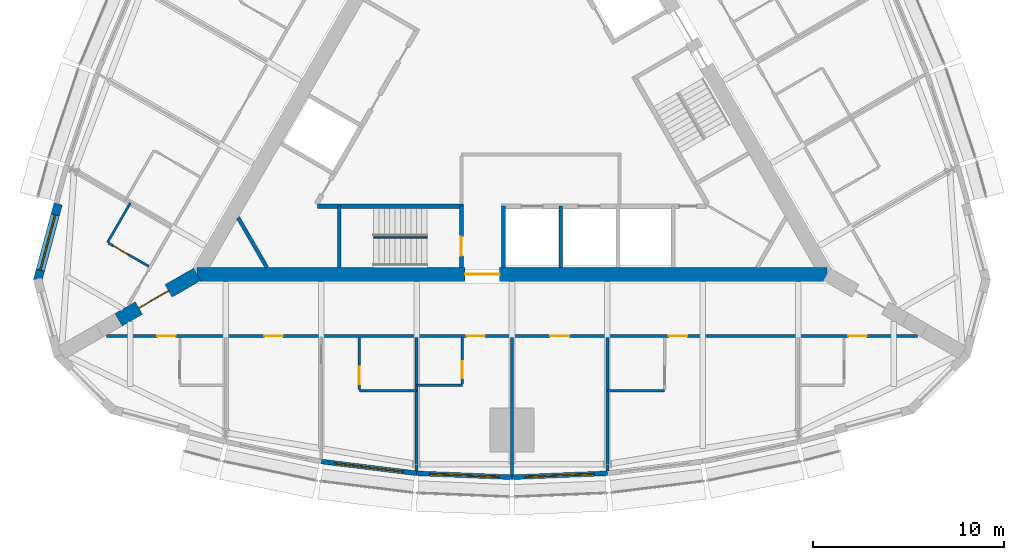
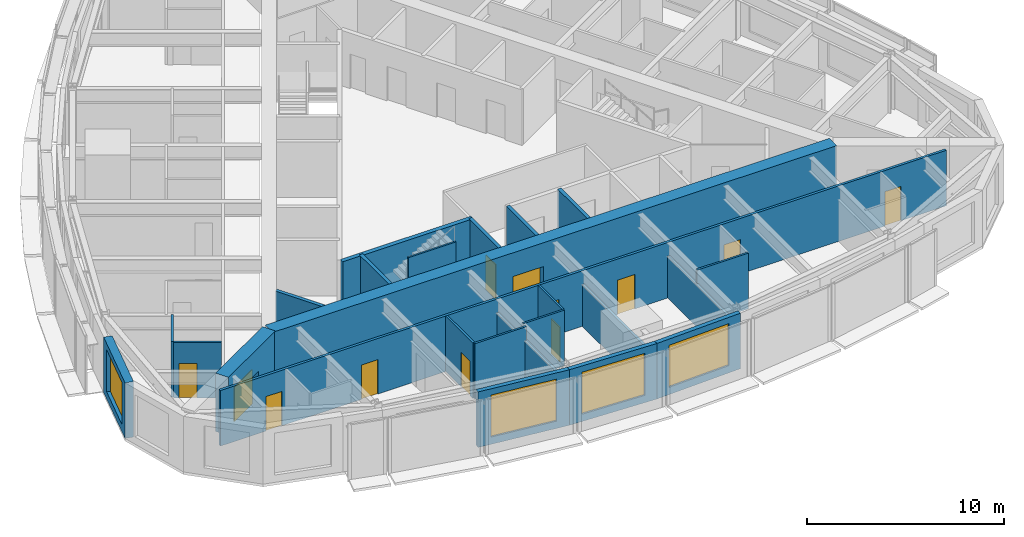
# One storey, part 9 of 15: 24 walls, 12 doors, 4 windows, 16 openings.
"""IFC4 building model written with IfcOpenShell, lengths in metres."""

from ifc_helpers import new_model, si_unit, direction, frame, frame_2d, origin, place, context, subcontext, project, spatial, rectangle, extrude, material, layer, layer_set, type_object, element, fill, save


model = new_model("IFC4")

# Units and contexts
model_context = context("Model", 3, precision=1e-05, world=origin(), true_north=direction((0.0, 1.0)))
body_context = subcontext(model_context, "Body", "Model", "MODEL_VIEW")
ifc_project = project(units=[si_unit("LENGTHUNIT", "METRE"), si_unit("AREAUNIT", "SQUARE_METRE"), si_unit("VOLUMEUNIT", "CUBIC_METRE"), si_unit("PLANEANGLEUNIT", "RADIAN"), si_unit("MASSUNIT", "GRAM", prefix="KILO")], contexts=[model_context])

# Site, building, storey
site_placement = place(None, origin())
site = spatial("IfcSite", under=ifc_project, at=site_placement, CompositionType="ELEMENT")
building_placement = place(site_placement, origin())
building = spatial("IfcBuilding", under=site, at=building_placement, Name="Trikona Tower", CompositionType="ELEMENT")
storey_placement = place(building_placement, frame((0.0, 0.0, 204.5)))
storey = spatial("IfcBuildingStorey", under=building, at=storey_placement, Name="L54", CompositionType="ELEMENT", Elevation=204.5)

# Wall
ifc_material_1 = material(Name="Metal stud and cement board", Category="gypsum")
ifc_layer_1 = layer(ifc_material_1, 0.1201171875)
ifc_layer_set_1 = layer_set([ifc_layer_1], Name="Bathroom wall 120")
wall_type_1 = type_object("IfcWallType", Name="Bathroom wall 120", PredefinedType="PLUMBINGWALL", material=ifc_layer_set_1)
wall_1_placement = place(storey_placement, frame((-8.0, -15.626220703125, 0.0), z_axis=(0.0, 0.0, 1.0), x_axis=(1.0, 0.0, 0.0)))
element("IfcWall", 1, at=wall_1_placement, inside=storey, type_object=wall_type_1, Name="Bathroom wall 5402.1", PredefinedType="PLUMBINGWALL", context=body_context, shape_type="SweptSolid", body=[
    extrude(rectangle(XDim=3.0, YDim=0.1201171875, at=frame_2d((1.5, 0.0))), origin(), (0.0, 0.0, 1.0), 3.43505859375),
])

# Wall, opening, door
wall_2_placement = place(storey_placement, frame((-8.0, -12.826416015625, 0.0), z_axis=(0.0, 0.0, 1.0), x_axis=(0.0, -1.0, 0.0)))
wall_2 = element("IfcWall", 2, at=wall_2_placement, inside=storey, type_object=wall_type_1, Name="Bathroom wall 5402.1", PredefinedType="PLUMBINGWALL", context=body_context, shape_type="SweptSolid", body=[
    extrude(rectangle(XDim=2.739990234375, YDim=0.1201171875, at=frame_2d((1.3701171875, 0.0))), origin(), (0.0, 0.0, 1.0), 3.43505859375),
])
opening_1_placement = place(wall_2_placement, frame((1.550048828125, 0.0, 0.0)))
opening_1 = element("IfcOpeningElement", 3, at=opening_1_placement, cuts=wall_2, Name="Opening D2", PredefinedType="OPENING", context=body_context, shape_type="SweptSolid", body=[
    extrude(rectangle(XDim=0.89990234375, YDim=2.1298828125, at=frame_2d((0.449951171875, 1.06494140625))), frame((0.0, 0.070068359375, 0.0), z_axis=(0.0, -1.0, 0.0), x_axis=(1.0, 0.0, 0.0)), (0.0, 0.0, 1.0), 0.14013671875),
])
ifc_material_2 = material(Name="Steel door frame with solid-core timber leaf", Category="steel")
door_type_1 = type_object("IfcDoorType", Name="Bathroom door 900x2130", OperationType="SLIDING_TO_LEFT", PredefinedType="DOOR", material=ifc_material_2)
door_1_placement = place(opening_1_placement, origin())
door_1 = element("IfcDoor", 4, at=door_1_placement, inside=storey, type_object=door_type_1, Name="Bathroom door 5402.1", OperationType="SLIDING_TO_LEFT", OverallHeight=2.1298828125, OverallWidth=0.89990234375, PredefinedType="DOOR", context=body_context, shape_type="SweptSolid", body=[
    extrude(rectangle(XDim=0.89990234375, YDim=2.1298828125, at=frame_2d((0.449951171875, 1.06494140625))), frame((0.0, 0.02490234375, 0.0), z_axis=(0.0, -1.0, 0.0), x_axis=(1.0, 0.0, 0.0)), (0.0, 0.0, 1.0), 0.050048828125),
])
fill(opening_1, door_1)

# Wall
wall_3_placement = place(storey_placement, frame((-5.0, -15.326416015625, 0.0), z_axis=(0.0, 0.0, 1.0), x_axis=(1.0, 0.0, 0.0)))
element("IfcWall", 5, at=wall_3_placement, inside=storey, type_object=wall_type_1, Name="Bathroom wall 5403", PredefinedType="PLUMBINGWALL", context=body_context, shape_type="SweptSolid", body=[
    extrude(rectangle(XDim=2.39990234375, YDim=0.1201171875, at=frame_2d((1.199951171875, 0.0))), origin(), (0.0, 0.0, 1.0), 3.43505859375),
])

# Wall, opening, door
wall_4_placement = place(storey_placement, frame((-2.60009765625, -12.826416015625, 0.0), z_axis=(0.0, 0.0, 1.0), x_axis=(0.0, -1.0, 0.0)))
wall_4 = element("IfcWall", 6, at=wall_4_placement, inside=storey, type_object=wall_type_1, Name="Bathroom wall 5403", PredefinedType="PLUMBINGWALL", context=body_context, shape_type="SweptSolid", body=[
    extrude(rectangle(XDim=2.43994140625, YDim=0.1201171875, at=frame_2d((1.219970703125, 0.0))), origin(), (0.0, 0.0, 1.0), 3.43505859375),
])
opening_2_placement = place(wall_4_placement, frame((1.25, 0.0, 0.0)))
opening_2 = element("IfcOpeningElement", 7, at=opening_2_placement, cuts=wall_4, Name="Opening D2", PredefinedType="OPENING", context=body_context, shape_type="SweptSolid", body=[
    extrude(rectangle(XDim=0.89990234375, YDim=2.1298828125, at=frame_2d((0.449951171875, 1.06494140625))), frame((0.0, 0.070068359375, 0.0), z_axis=(0.0, -1.0, 0.0), x_axis=(1.0, 0.0, 0.0)), (0.0, 0.0, 1.0), 0.14013671875),
])
door_2_placement = place(opening_2_placement, origin())
door_2 = element("IfcDoor", 8, at=door_2_placement, inside=storey, type_object=door_type_1, Name="Bathroom door 5403", OperationType="SLIDING_TO_LEFT", OverallHeight=2.1298828125, OverallWidth=0.89990234375, PredefinedType="DOOR", context=body_context, shape_type="SweptSolid", body=[
    extrude(rectangle(XDim=0.89990234375, YDim=2.1298828125, at=frame_2d((0.449951171875, 1.06494140625))), frame((0.0, 0.02490234375, 0.0), z_axis=(0.0, -1.0, 0.0), x_axis=(1.0, 0.0, 0.0)), (0.0, 0.0, 1.0), 0.050048828125),
])
fill(opening_2, door_2)

# Walls
wall_5_placement = place(storey_placement, frame((5.0, -15.626220703125, 0.0), z_axis=(0.0, 0.0, 1.0), x_axis=(1.0, 0.0, 0.0)))
element("IfcWall", 9, at=wall_5_placement, inside=storey, type_object=wall_type_1, Name="Bathroom wall 5404", PredefinedType="PLUMBINGWALL", context=body_context, shape_type="SweptSolid", body=[
    extrude(rectangle(XDim=3.0, YDim=0.1201171875, at=frame_2d((1.5, 0.0))), origin(), (0.0, 0.0, 1.0), 3.43505859375),
])
wall_6_placement = place(storey_placement, frame((-19.993408203125, -5.777099609375, 0.0), z_axis=(0.0, 0.0, 1.0), x_axis=(-0.500033551112, -0.866006032174, 0.0)))
element("IfcWall", 10, at=wall_6_placement, inside=storey, type_object=wall_type_1, Name="Bathroom wall 5416", PredefinedType="PLUMBINGWALL", context=body_context, shape_type="SweptSolid", body=[
    extrude(rectangle(XDim=2.400146484375, YDim=0.1201171875, at=frame_2d((1.2001953125, 0.0))), origin(), (0.0, 0.0, 1.0), 3.43505859375),
])

# Wall, opening, door
wall_7_placement = place(storey_placement, frame((-19.028564453125, -9.105712890625, 0.0), z_axis=(0.0, 0.0, 1.0), x_axis=(-0.866023955769, 0.500002508028, 0.0)))
wall_7 = element("IfcWall", 11, at=wall_7_placement, inside=storey, type_object=wall_type_1, Name="Bathroom wall 5416", PredefinedType="PLUMBINGWALL", context=body_context, shape_type="SweptSolid", body=[
    extrude(rectangle(XDim=2.43994140625, YDim=0.1201171875, at=frame_2d((1.219970703125, 0.0))), origin(), (0.0, 0.0, 1.0), 3.43505859375),
])
opening_3_placement = place(wall_7_placement, frame((1.25, 0.0, 0.0)))
opening_3 = element("IfcOpeningElement", 12, at=opening_3_placement, cuts=wall_7, Name="Opening D2", PredefinedType="OPENING", context=body_context, shape_type="SweptSolid", body=[
    extrude(rectangle(XDim=0.89990234375, YDim=2.1298828125, at=frame_2d((0.449951171875, 1.06494140625))), frame((0.0, 0.070068359375, 0.0), z_axis=(0.0, -1.0, 0.0), x_axis=(1.0, 0.0, 0.0)), (0.0, 0.0, 1.0), 0.14013671875),
])
door_3_placement = place(opening_3_placement, origin())
door_3 = element("IfcDoor", 13, at=door_3_placement, inside=storey, type_object=door_type_1, Name="Bathroom door 5416", OperationType="SLIDING_TO_LEFT", OverallHeight=2.1298828125, OverallWidth=0.89990234375, PredefinedType="DOOR", context=body_context, shape_type="SweptSolid", body=[
    extrude(rectangle(XDim=0.89990234375, YDim=2.1298828125, at=frame_2d((0.449951171875, 1.06494140625))), frame((0.0, 0.02490234375, 0.0), z_axis=(0.0, -1.0, 0.0), x_axis=(1.0, 0.0, 0.0)), (0.0, 0.0, 1.0), 0.050048828125),
])
fill(opening_3, door_3)

# Wall, opening, window
ifc_material_3 = material(Name="Brick-faced precast concrete", Category="masonry")
ifc_layer_2 = layer(ifc_material_3, 0.449951171875)
ifc_layer_set_2 = layer_set([ifc_layer_2], Name="Brick-faced corner wall 450")
wall_type_2 = type_object("IfcWallType", Name="Brick-faced corner wall 450", PredefinedType="SOLIDWALL", material=ifc_layer_set_2)
wall_8_placement = place(storey_placement, frame((-23.78271484375, -5.831787109375, 0.0), z_axis=(0.0, 0.0, 1.0), x_axis=(-0.258784695888, -0.965935029479, 0.0)))
wall_8 = element("IfcWall", 14, at=wall_8_placement, inside=storey, type_object=wall_type_2, Name="External wall L54-32", PredefinedType="SOLIDWALL", context=body_context, shape_type="SweptSolid", body=[
    extrude(rectangle(XDim=4.18408203125, YDim=0.449951171875, at=frame_2d((2.092041015625, 0.0))), origin(), (0.0, 0.0, 1.0), 3.43505859375),
])
opening_4_placement = place(wall_8_placement, frame((0.592041015625, 0.0, 0.449951171875)))
opening_4 = element("IfcOpeningElement", 15, at=opening_4_placement, cuts=wall_8, Name="Opening W3026", PredefinedType="OPENING", context=body_context, shape_type="SweptSolid", body=[
    extrude(rectangle(XDim=3.0, YDim=2.60009765625, at=frame_2d((1.5, 1.300048828125))), frame((0.0, 0.23486328125, 0.0), z_axis=(0.0, -1.0, 0.0), x_axis=(1.0, 0.0, 0.0)), (0.0, 0.0, 1.0), 0.469970703125),
])
ifc_material_4 = material(Name="Aluminium-framed double glazing", Category="aluminium")
window_type_1 = type_object("IfcWindowType", Name="Window 3000x2600", PartitioningType="SINGLE_PANEL", PredefinedType="WINDOW", material=ifc_material_4)
window_1_placement = place(opening_4_placement, origin())
window_1 = element("IfcWindow", 16, at=window_1_placement, inside=storey, type_object=window_type_1, Name="Window 5416", OverallHeight=2.60009765625, OverallWidth=3.0, PartitioningType="SINGLE_PANEL", PredefinedType="WINDOW", context=body_context, shape_type="SweptSolid", body=[
    extrude(rectangle(XDim=3.0, YDim=2.60009765625, at=frame_2d((1.5, 1.300048828125))), frame((0.0, 0.030029296875, 0.0), z_axis=(0.0, -1.0, 0.0), x_axis=(1.0, 0.0, 0.0)), (0.0, 0.0, 1.0), 0.06005859375),
])
fill(opening_4, window_1)

# Wall, opening, door
ifc_material_5 = material(Name="Concrete f'c 10000 psi", Category="concrete")
ifc_layer_3 = layer(ifc_material_5, 0.75)
ifc_layer_set_3 = layer_set([ifc_layer_3], Name="Buttress wall 750")
wall_type_3 = type_object("IfcWallType", Name="Buttress wall 750", PredefinedType="SHEAR", material=ifc_layer_set_3)
wall_9_placement = place(storey_placement, frame((-16.5, -9.5263671875, 0.0), z_axis=(0.0, 0.0, 1.0), x_axis=(-0.866031398331, -0.499989616998, 0.0)))
wall_9 = element("IfcWall", 17, at=wall_9_placement, inside=storey, type_object=wall_type_3, Name="Buttress wall 3", PredefinedType="SHEAR", context=body_context, shape_type="SweptSolid", body=[
    extrude(rectangle(XDim=4.74609375, YDim=0.75, at=frame_2d((2.373046875, 0.0))), origin(), (0.0, 0.0, 1.0), 3.60009765625),
])
opening_5_placement = place(wall_9_placement, frame((1.72509765625, 0.0, 0.0)))
opening_5 = element("IfcOpeningElement", 18, at=opening_5_placement, cuts=wall_9, Name="Opening D10", PredefinedType="OPENING", context=body_context, shape_type="SweptSolid", body=[
    extrude(rectangle(XDim=1.800048828125, YDim=2.1298828125, at=frame_2d((0.89990234375, 1.06494140625))), frame((0.0, 0.385009765625, 0.0), z_axis=(0.0, -1.0, 0.0), x_axis=(1.0, 0.0, 0.0)), (0.0, 0.0, 1.0), 0.77001953125),
])
ifc_material_6 = material(Name="Hollow metal door and frame", Category="steel")
door_type_2 = type_object("IfcDoorType", Name="Cross-corridor door pair 1800x2130", OperationType="DOUBLE_DOOR_DOUBLE_SWING", PredefinedType="DOOR", material=ifc_material_6)
door_4_placement = place(opening_5_placement, origin())
door_4 = element("IfcDoor", 19, at=door_4_placement, inside=storey, type_object=door_type_2, Name="Cross-corridor door 3", OperationType="DOUBLE_DOOR_DOUBLE_SWING", OverallHeight=2.1298828125, OverallWidth=1.800048828125, PredefinedType="DOOR", context=body_context, shape_type="SweptSolid", body=[
    extrude(rectangle(XDim=1.800048828125, YDim=2.1298828125, at=frame_2d((0.89990234375, 1.06494140625))), frame((0.0, 0.02490234375, 0.0), z_axis=(0.0, -1.0, 0.0), x_axis=(1.0, 0.0, 0.0)), (0.0, 0.0, 1.0), 0.050048828125),
])
fill(opening_5, door_4)

ifc_material_7 = material(Name="Concrete f'c 10000 psi", Category="concrete")
ifc_layer_4 = layer(ifc_material_7, 0.75)
ifc_layer_set_4 = layer_set([ifc_layer_4], Name="Core wall 750")
wall_type_4 = type_object("IfcWallType", Name="Core wall 750", PredefinedType="SHEAR", material=ifc_layer_set_4)
wall_10_placement = place(storey_placement, frame((-16.5, -9.5263671875, 0.0), z_axis=(0.0, 0.0, 1.0), x_axis=(1.0, 0.0, 0.0)))
wall_10 = element("IfcWall", 20, at=wall_10_placement, inside=storey, type_object=wall_type_4, Name="Core wall A", PredefinedType="SHEAR", context=body_context, shape_type="SweptSolid", body=[
    extrude(rectangle(XDim=33.0, YDim=0.75, at=frame_2d((16.5, 0.0))), origin(), (0.0, 0.0, 1.0), 3.60009765625),
])
opening_6_placement = place(wall_10_placement, frame((14.050048828125, 0.0, 0.0)))
opening_6 = element("IfcOpeningElement", 21, at=opening_6_placement, cuts=wall_10, Name="Opening D6", PredefinedType="OPENING", context=body_context, shape_type="SweptSolid", body=[
    extrude(rectangle(XDim=1.800048828125, YDim=2.1298828125, at=frame_2d((0.89990234375, 1.06494140625))), frame((0.0, 0.385009765625, 0.0), z_axis=(0.0, -1.0, 0.0), x_axis=(1.0, 0.0, 0.0)), (0.0, 0.0, 1.0), 0.77001953125),
])
ifc_material_8 = material(Name="Hollow metal door and frame", Category="steel")
door_type_3 = type_object("IfcDoorType", Name="Lobby door pair 1800x2130", OperationType="DOUBLE_DOOR_SINGLE_SWING", PredefinedType="DOOR", material=ifc_material_8)
door_5_placement = place(opening_6_placement, origin())
door_5 = element("IfcDoor", 22, at=door_5_placement, inside=storey, type_object=door_type_3, Name="Fire service lift lobby door", OperationType="DOUBLE_DOOR_SINGLE_SWING", OverallHeight=2.1298828125, OverallWidth=1.800048828125, PredefinedType="DOOR", context=body_context, shape_type="SweptSolid", body=[
    extrude(rectangle(XDim=1.800048828125, YDim=2.1298828125, at=frame_2d((0.89990234375, 1.06494140625))), frame((0.0, 0.02490234375, 0.0), z_axis=(0.0, -1.0, 0.0), x_axis=(1.0, 0.0, 0.0)), (0.0, 0.0, 1.0), 0.050048828125),
])
fill(opening_6, door_5)

# Wall, openings, doors
ifc_material_9 = material(Name="Metal stud and gypsum board, 1-hour", Category="gypsum")
ifc_layer_5 = layer(ifc_material_9, 0.14990234375)
ifc_layer_set_5 = layer_set([ifc_layer_5], Name="Corridor wall 150")
wall_type_5 = type_object("IfcWallType", Name="Corridor wall 150", PredefinedType="PARTITIONING", material=ifc_layer_set_5)
wall_11_placement = place(storey_placement, frame((-21.23583984375, -12.751220703125, 0.0), z_axis=(0.0, 0.0, 1.0), x_axis=(1.0, 0.0, 0.0)))
wall_11 = element("IfcWall", 23, at=wall_11_placement, inside=storey, type_object=wall_type_5, Name="Corridor wall L54-1", PredefinedType="PARTITIONING", context=body_context, shape_type="SweptSolid", body=[
    extrude(rectangle(XDim=42.4716796875, YDim=0.14990234375, at=frame_2d((21.23583984375, 0.0))), origin(), (0.0, 0.0, 1.0), 3.43505859375),
])
opening_7_placement = place(wall_11_placement, frame((2.660888671875, 0.0, 0.0)))
opening_7 = element("IfcOpeningElement", 24, at=opening_7_placement, cuts=wall_11, Name="Opening D1", PredefinedType="OPENING", context=body_context, shape_type="SweptSolid", body=[
    extrude(rectangle(XDim=0.949951171875, YDim=2.1298828125, at=frame_2d((0.47509765625, 1.06494140625))), frame((0.0, 0.0849609375, 0.0), z_axis=(0.0, -1.0, 0.0), x_axis=(1.0, 0.0, 0.0)), (0.0, 0.0, 1.0), 0.169921875),
])
opening_8_placement = place(wall_11_placement, frame((8.260986328125, 0.0, 0.0)))
opening_8 = element("IfcOpeningElement", 25, at=opening_8_placement, cuts=wall_11, Name="Opening D1", PredefinedType="OPENING", context=body_context, shape_type="SweptSolid", body=[
    extrude(rectangle(XDim=0.949951171875, YDim=2.1298828125, at=frame_2d((0.47509765625, 1.06494140625))), frame((0.0, 0.0849609375, 0.0), z_axis=(0.0, -1.0, 0.0), x_axis=(1.0, 0.0, 0.0)), (0.0, 0.0, 1.0), 0.169921875),
])
opening_9_placement = place(wall_11_placement, frame((18.86083984375, 0.0, 0.0)))
opening_9 = element("IfcOpeningElement", 26, at=opening_9_placement, cuts=wall_11, Name="Opening D1", PredefinedType="OPENING", context=body_context, shape_type="SweptSolid", body=[
    extrude(rectangle(XDim=0.949951171875, YDim=2.1298828125, at=frame_2d((0.47509765625, 1.06494140625))), frame((0.0, 0.0849609375, 0.0), z_axis=(0.0, -1.0, 0.0), x_axis=(1.0, 0.0, 0.0)), (0.0, 0.0, 1.0), 0.169921875),
])
opening_10_placement = place(wall_11_placement, frame((23.23583984375, 0.0, 0.0)))
opening_10 = element("IfcOpeningElement", 27, at=opening_10_placement, cuts=wall_11, Name="Opening D3", PredefinedType="OPENING", context=body_context, shape_type="SweptSolid", body=[
    extrude(rectangle(XDim=1.0, YDim=2.1298828125, at=frame_2d((0.5, 1.06494140625))), frame((0.0, 0.0849609375, 0.0), z_axis=(0.0, -1.0, 0.0), x_axis=(1.0, 0.0, 0.0)), (0.0, 0.0, 1.0), 0.169921875),
])
opening_11_placement = place(wall_11_placement, frame((29.4609375, 0.0, 0.0)))
opening_11 = element("IfcOpeningElement", 28, at=opening_11_placement, cuts=wall_11, Name="Opening D1", PredefinedType="OPENING", context=body_context, shape_type="SweptSolid", body=[
    extrude(rectangle(XDim=0.949951171875, YDim=2.1298828125, at=frame_2d((0.47509765625, 1.06494140625))), frame((0.0, 0.0849609375, 0.0), z_axis=(0.0, -1.0, 0.0), x_axis=(1.0, 0.0, 0.0)), (0.0, 0.0, 1.0), 0.169921875),
])
opening_12_placement = place(wall_11_placement, frame((38.86083984375, 0.0, 0.0)))
opening_12 = element("IfcOpeningElement", 29, at=opening_12_placement, cuts=wall_11, Name="Opening D1", PredefinedType="OPENING", context=body_context, shape_type="SweptSolid", body=[
    extrude(rectangle(XDim=0.949951171875, YDim=2.1298828125, at=frame_2d((0.47509765625, 1.06494140625))), frame((0.0, 0.0849609375, 0.0), z_axis=(0.0, -1.0, 0.0), x_axis=(1.0, 0.0, 0.0)), (0.0, 0.0, 1.0), 0.169921875),
])
ifc_material_10 = material(Name="Steel door frame with solid-core timber leaf", Category="steel")
door_type_4 = type_object("IfcDoorType", Name="Guest room door 950x2130", OperationType="SINGLE_SWING_LEFT", PredefinedType="DOOR", material=ifc_material_10)
door_6_placement = place(opening_7_placement, origin())
door_6 = element("IfcDoor", 30, at=door_6_placement, inside=storey, type_object=door_type_4, Name="Room door 5401", OperationType="SINGLE_SWING_LEFT", OverallHeight=2.1298828125, OverallWidth=0.949951171875, PredefinedType="DOOR", context=body_context, shape_type="SweptSolid", body=[
    extrude(rectangle(XDim=0.949951171875, YDim=2.1298828125, at=frame_2d((0.47509765625, 1.06494140625))), frame((0.0, 0.02490234375, 0.0), z_axis=(0.0, -1.0, 0.0), x_axis=(1.0, 0.0, 0.0)), (0.0, 0.0, 1.0), 0.050048828125),
])
fill(opening_7, door_6)
door_7_placement = place(opening_8_placement, origin())
door_7 = element("IfcDoor", 31, at=door_7_placement, inside=storey, type_object=door_type_4, Name="Room door 5402", OperationType="SINGLE_SWING_RIGHT", OverallHeight=2.1298828125, OverallWidth=0.949951171875, PredefinedType="DOOR", context=body_context, shape_type="SweptSolid", body=[
    extrude(rectangle(XDim=0.949951171875, YDim=2.1298828125, at=frame_2d((0.47509765625, 1.06494140625))), frame((0.0, 0.02490234375, 0.0), z_axis=(0.0, -1.0, 0.0), x_axis=(1.0, 0.0, 0.0)), (0.0, 0.0, 1.0), 0.050048828125),
])
fill(opening_8, door_7)
door_8_placement = place(opening_9_placement, origin())
door_8 = element("IfcDoor", 32, at=door_8_placement, inside=storey, type_object=door_type_4, Name="Room door 5403", OperationType="SINGLE_SWING_LEFT", OverallHeight=2.1298828125, OverallWidth=0.949951171875, PredefinedType="DOOR", context=body_context, shape_type="SweptSolid", body=[
    extrude(rectangle(XDim=0.949951171875, YDim=2.1298828125, at=frame_2d((0.47509765625, 1.06494140625))), frame((0.0, 0.02490234375, 0.0), z_axis=(0.0, -1.0, 0.0), x_axis=(1.0, 0.0, 0.0)), (0.0, 0.0, 1.0), 0.050048828125),
])
fill(opening_9, door_8)
door_9_placement = place(opening_11_placement, origin())
door_9 = element("IfcDoor", 33, at=door_9_placement, inside=storey, type_object=door_type_4, Name="Room door 5404", OperationType="SINGLE_SWING_LEFT", OverallHeight=2.1298828125, OverallWidth=0.949951171875, PredefinedType="DOOR", context=body_context, shape_type="SweptSolid", body=[
    extrude(rectangle(XDim=0.949951171875, YDim=2.1298828125, at=frame_2d((0.47509765625, 1.06494140625))), frame((0.0, 0.02490234375, 0.0), z_axis=(0.0, -1.0, 0.0), x_axis=(1.0, 0.0, 0.0)), (0.0, 0.0, 1.0), 0.050048828125),
])
fill(opening_11, door_9)
door_10_placement = place(opening_12_placement, origin())
door_10 = element("IfcDoor", 34, at=door_10_placement, inside=storey, type_object=door_type_4, Name="Room door 5405", OperationType="SINGLE_SWING_RIGHT", OverallHeight=2.1298828125, OverallWidth=0.949951171875, PredefinedType="DOOR", context=body_context, shape_type="SweptSolid", body=[
    extrude(rectangle(XDim=0.949951171875, YDim=2.1298828125, at=frame_2d((0.47509765625, 1.06494140625))), frame((0.0, 0.02490234375, 0.0), z_axis=(0.0, -1.0, 0.0), x_axis=(1.0, 0.0, 0.0)), (0.0, 0.0, 1.0), 0.050048828125),
])
fill(opening_12, door_10)
ifc_material_11 = material(Name="Steel door frame with solid-core timber leaf", Category="steel")
door_type_5 = type_object("IfcDoorType", Name="Room door 1000x2130", OperationType="SINGLE_SWING_LEFT", PredefinedType="DOOR", material=ifc_material_11)
door_11_placement = place(opening_10_placement, origin())
door_11 = element("IfcDoor", 35, at=door_11_placement, inside=storey, type_object=door_type_5, Name="Door Housekeeping pantry", OperationType="SINGLE_SWING_RIGHT", OverallHeight=2.1298828125, OverallWidth=1.0, PredefinedType="DOOR", context=body_context, shape_type="SweptSolid", body=[
    extrude(rectangle(XDim=1.0, YDim=2.1298828125, at=frame_2d((0.5, 1.06494140625))), frame((0.0, 0.02490234375, 0.0), z_axis=(0.0, -1.0, 0.0), x_axis=(1.0, 0.0, 0.0)), (0.0, 0.0, 1.0), 0.050048828125),
])
fill(opening_10, door_11)

# Wall
ifc_material_12 = material(Name="Concrete f'c 8000 psi", Category="concrete")
ifc_layer_6 = layer(ifc_material_12, 0.25)
ifc_layer_set_6 = layer_set([ifc_layer_6], Name="Hub wall 250")
wall_type_6 = type_object("IfcWallType", Name="Hub wall 250", PredefinedType="SOLIDWALL", material=ifc_layer_set_6)
wall_12_placement = place(storey_placement, frame((-10.182861328125, -5.951416015625, 0.0), z_axis=(0.0, 0.0, 1.0), x_axis=(1.0, 0.0, 0.0)))
element("IfcWall", 36, at=wall_12_placement, inside=storey, type_object=wall_type_6, Name="Lift lobby wall A1", PredefinedType="SOLIDWALL", context=body_context, shape_type="SweptSolid", body=[
    extrude(rectangle(XDim=7.6328125, YDim=0.25, at=frame_2d((3.81640625, 0.0))), origin(), (0.0, 0.0, 1.0), 3.43505859375),
])

# Wall, opening, window
ifc_material_13 = material(Name="Insulated precast concrete spandrel panel", Category="concrete")
ifc_layer_7 = layer(ifc_material_13, 0.25)
ifc_layer_set_7 = layer_set([ifc_layer_7], Name="Inner skin wall 250")
wall_type_7 = type_object("IfcWallType", Name="Inner skin wall 250", PredefinedType="STANDARD", material=ifc_layer_set_7)
wall_13_placement = place(storey_placement, frame((-9.984619140625, -19.330078125, 0.0), z_axis=(0.0, 0.0, 1.0), x_axis=(0.992449874964, -0.12265090984, 0.0)))
wall_13 = element("IfcWall", 37, at=wall_13_placement, inside=storey, type_object=wall_type_7, Name="External wall L54-02", PredefinedType="STANDARD", context=body_context, shape_type="SweptSolid", body=[
    extrude(rectangle(XDim=5.0380859375, YDim=0.25, at=frame_2d((2.51904296875, 0.0))), origin(), (0.0, 0.0, 1.0), 3.43505859375),
])
opening_13_placement = place(wall_13_placement, frame((0.718994140625, 0.0, 0.449951171875)))
opening_13 = element("IfcOpeningElement", 38, at=opening_13_placement, cuts=wall_13, Name="Opening W3626", PredefinedType="OPENING", context=body_context, shape_type="SweptSolid", body=[
    extrude(rectangle(XDim=3.60009765625, YDim=2.60009765625, at=frame_2d((1.800048828125, 1.300048828125))), frame((0.0, 0.135009765625, 0.0), z_axis=(0.0, -1.0, 0.0), x_axis=(1.0, 0.0, 0.0)), (0.0, 0.0, 1.0), 0.27001953125),
])
ifc_material_14 = material(Name="Aluminium-framed double glazing", Category="aluminium")
window_type_2 = type_object("IfcWindowType", Name="Window 3600x2600", PartitioningType="SINGLE_PANEL", PredefinedType="WINDOW", material=ifc_material_14)
window_2_placement = place(opening_13_placement, origin())
window_2 = element("IfcWindow", 39, at=window_2_placement, inside=storey, type_object=window_type_2, Name="Window 5402.1", OverallHeight=2.60009765625, OverallWidth=3.60009765625, PartitioningType="SINGLE_PANEL", PredefinedType="WINDOW", context=body_context, shape_type="SweptSolid", body=[
    extrude(rectangle(XDim=3.60009765625, YDim=2.60009765625, at=frame_2d((1.800048828125, 1.300048828125))), frame((0.0, 0.030029296875, 0.0), z_axis=(0.0, -1.0, 0.0), x_axis=(1.0, 0.0, 0.0)), (0.0, 0.0, 1.0), 0.06005859375),
])
fill(opening_13, window_2)

wall_14_placement = place(storey_placement, frame((-4.994873046875, -19.947021484375, 0.0), z_axis=(0.0, 0.0, 1.0), x_axis=(0.999151909423, -0.041175986892, 0.0)))
wall_14 = element("IfcWall", 40, at=wall_14_placement, inside=storey, type_object=wall_type_7, Name="External wall L54-03", PredefinedType="STANDARD", context=body_context, shape_type="SweptSolid", body=[
    extrude(rectangle(XDim=5.004150390625, YDim=0.25, at=frame_2d((2.501953125, 0.0))), origin(), (0.0, 0.0, 1.0), 3.43505859375),
])
opening_14_placement = place(wall_14_placement, frame((0.7021484375, 0.0, 0.449951171875)))
opening_14 = element("IfcOpeningElement", 41, at=opening_14_placement, cuts=wall_14, Name="Opening W3626", PredefinedType="OPENING", context=body_context, shape_type="SweptSolid", body=[
    extrude(rectangle(XDim=3.60009765625, YDim=2.60009765625, at=frame_2d((1.800048828125, 1.300048828125))), frame((0.0, 0.135009765625, 0.0), z_axis=(0.0, -1.0, 0.0), x_axis=(1.0, 0.0, 0.0)), (0.0, 0.0, 1.0), 0.27001953125),
])
window_3_placement = place(opening_14_placement, origin())
window_3 = element("IfcWindow", 42, at=window_3_placement, inside=storey, type_object=window_type_2, Name="Window 5403", OverallHeight=2.60009765625, OverallWidth=3.60009765625, PartitioningType="SINGLE_PANEL", PredefinedType="WINDOW", context=body_context, shape_type="SweptSolid", body=[
    extrude(rectangle(XDim=3.60009765625, YDim=2.60009765625, at=frame_2d((1.800048828125, 1.300048828125))), frame((0.0, 0.030029296875, 0.0), z_axis=(0.0, -1.0, 0.0), x_axis=(1.0, 0.0, 0.0)), (0.0, 0.0, 1.0), 0.06005859375),
])
fill(opening_14, window_3)

wall_15_placement = place(storey_placement, frame((-0.005126953125, -20.153076171875, 0.0), z_axis=(0.0, 0.0, 1.0), x_axis=(0.999151909423, 0.041175986892, 0.0)))
wall_15 = element("IfcWall", 43, at=wall_15_placement, inside=storey, type_object=wall_type_7, Name="External wall L54-04", PredefinedType="STANDARD", context=body_context, shape_type="SweptSolid", body=[
    extrude(rectangle(XDim=5.004150390625, YDim=0.25, at=frame_2d((2.501953125, 0.0))), origin(), (0.0, 0.0, 1.0), 3.43505859375),
])
opening_15_placement = place(wall_15_placement, frame((0.7021484375, 0.0, 0.449951171875)))
opening_15 = element("IfcOpeningElement", 44, at=opening_15_placement, cuts=wall_15, Name="Opening W3626", PredefinedType="OPENING", context=body_context, shape_type="SweptSolid", body=[
    extrude(rectangle(XDim=3.60009765625, YDim=2.60009765625, at=frame_2d((1.800048828125, 1.300048828125))), frame((0.0, 0.135009765625, 0.0), z_axis=(0.0, -1.0, 0.0), x_axis=(1.0, 0.0, 0.0)), (0.0, 0.0, 1.0), 0.27001953125),
])
window_4_placement = place(opening_15_placement, origin())
window_4 = element("IfcWindow", 45, at=window_4_placement, inside=storey, type_object=window_type_2, Name="Window L54-HKP", OverallHeight=2.60009765625, OverallWidth=3.60009765625, PartitioningType="SINGLE_PANEL", PredefinedType="WINDOW", context=body_context, shape_type="SweptSolid", body=[
    extrude(rectangle(XDim=3.60009765625, YDim=2.60009765625, at=frame_2d((1.800048828125, 1.300048828125))), frame((0.0, 0.030029296875, 0.0), z_axis=(0.0, -1.0, 0.0), x_axis=(1.0, 0.0, 0.0)), (0.0, 0.0, 1.0), 0.06005859375),
])
fill(opening_15, window_4)

# Walls
ifc_material_15 = material(Name="Metal stud and gypsum board, 1-hour acoustic", Category="gypsum")
ifc_layer_8 = layer(ifc_material_15, 0.14990234375)
ifc_layer_set_8 = layer_set([ifc_layer_8], Name="Party wall 150")
wall_type_8 = type_object("IfcWallType", Name="Party wall 150", PredefinedType="PARTITIONING", material=ifc_layer_set_8)
wall_16_placement = place(storey_placement, frame((-5.0, -12.826416015625, 0.0), z_axis=(0.0, 0.0, 1.0), x_axis=(0.0, -1.0, 0.0)))
element("IfcWall", 46, at=wall_16_placement, inside=storey, type_object=wall_type_8, Name="Partition L54 F1 u-5", PredefinedType="PARTITIONING", context=body_context, shape_type="SweptSolid", body=[
    extrude(rectangle(XDim=6.99365234375, YDim=0.14990234375, at=frame_2d((3.496826171875, 0.0))), origin(), (0.0, 0.0, 1.0), 2.589111328125),
])
wall_17_placement = place(storey_placement, frame((0.0, -12.826416015625, 0.0), z_axis=(0.0, 0.0, 1.0), x_axis=(0.0, -1.0, 0.0)))
element("IfcWall", 47, at=wall_17_placement, inside=storey, type_object=wall_type_8, Name="Partition L54 F1 u0", PredefinedType="PARTITIONING", context=body_context, shape_type="SweptSolid", body=[
    extrude(rectangle(XDim=7.201171875, YDim=0.14990234375, at=frame_2d((3.6005859375, 0.0))), origin(), (0.0, 0.0, 1.0), 2.589111328125),
])
wall_18_placement = place(storey_placement, frame((5.0, -12.826416015625, 0.0), z_axis=(0.0, 0.0, 1.0), x_axis=(0.0, -1.0, 0.0)))
element("IfcWall", 48, at=wall_18_placement, inside=storey, type_object=wall_type_8, Name="Partition L54 F1 u5", PredefinedType="PARTITIONING", context=body_context, shape_type="SweptSolid", body=[
    extrude(rectangle(XDim=6.99365234375, YDim=0.14990234375, at=frame_2d((3.496826171875, 0.0))), origin(), (0.0, 0.0, 1.0), 2.589111328125),
])
ifc_material_16 = material(Name="Concrete f'c 8000 psi", Category="concrete")
ifc_layer_9 = layer(ifc_material_16, 0.199951171875)
ifc_layer_set_9 = layer_set([ifc_layer_9], Name="Shaft wall 200")
wall_type_9 = type_object("IfcWallType", Name="Shaft wall 200", PredefinedType="SOLIDWALL", material=ifc_layer_set_9)
for number, where, z_axis, x_axis, name in (
    (49, (-0.449951171875, -5.951416015625, 0.0), (0.0, 0.0, 1.0), (0.0, -1.0, 0.0), "Shaft wall A3"),
    (50, (2.550048828125, -5.951416015625, 0.0), (0.0, 0.0, 1.0), (0.0, -1.0, 0.0), "Shaft wall A4"),
):
    element("IfcWall", number, at=place(storey_placement, frame(where, z_axis=z_axis, x_axis=x_axis)), inside=storey, type_object=wall_type_9, Name=name, PredefinedType="SOLIDWALL", context=body_context, shape_type="SweptSolid", body=[
        extrude(rectangle(XDim=3.199951171875, YDim=0.199951171875, at=frame_2d((1.60009765625, 0.0))), origin(), (0.0, 0.0, 1.0), 3.43505859375),
    ])
wall_19_placement = place(storey_placement, frame((-12.848388671875, -9.1513671875, 0.0), z_axis=(0.0, 0.0, 1.0), x_axis=(-0.499952404951, 0.866052881055, 0.0)))
element("IfcWall", 51, at=wall_19_placement, inside=storey, type_object=wall_type_9, Name="Riser wall L54-RS3", PredefinedType="SOLIDWALL", context=body_context, shape_type="SweptSolid", body=[
    extrude(rectangle(XDim=3.002197265625, YDim=0.199951171875, at=frame_2d((1.5009765625, 0.0))), origin(), (0.0, 0.0, 1.0), 3.43505859375),
])
ifc_material_17 = material(Name="Concrete f'c 8000 psi", Category="concrete")
ifc_layer_10 = layer(ifc_material_17, 0.199951171875)
ifc_layer_set_10 = layer_set([ifc_layer_10], Name="Shaft wall 200 load-bearing")
wall_type_10 = type_object("IfcWallType", Name="Shaft wall 200 load-bearing", PredefinedType="SOLIDWALL", material=ifc_layer_set_10)
wall_20_placement = place(storey_placement, frame((-9.050048828125, -5.951416015625, 0.0), z_axis=(0.0, 0.0, 1.0), x_axis=(0.0, -1.0, 0.0)))
element("IfcWall", 52, at=wall_20_placement, inside=storey, type_object=wall_type_10, Name="Shaft wall A1", PredefinedType="SOLIDWALL", context=body_context, shape_type="SweptSolid", body=[
    extrude(rectangle(XDim=3.199951171875, YDim=0.199951171875, at=frame_2d((1.60009765625, 0.0))), origin(), (0.0, 0.0, 1.0), 3.43505859375),
])

# Wall, opening, door
wall_21_placement = place(storey_placement, frame((-2.64990234375, -5.951416015625, 0.0), z_axis=(0.0, 0.0, 1.0), x_axis=(0.0, -1.0, 0.0)))
wall_21 = element("IfcWall", 53, at=wall_21_placement, inside=storey, type_object=wall_type_10, Name="Shaft wall A2", PredefinedType="SOLIDWALL", context=body_context, shape_type="SweptSolid", body=[
    extrude(rectangle(XDim=3.199951171875, YDim=0.199951171875, at=frame_2d((1.60009765625, 0.0))), origin(), (0.0, 0.0, 1.0), 3.43505859375),
])
opening_16_placement = place(wall_21_placement, frame((1.60009765625, 0.0, 0.0)))
opening_16 = element("IfcOpeningElement", 54, at=opening_16_placement, cuts=wall_21, Name="Opening D5", PredefinedType="OPENING", context=body_context, shape_type="SweptSolid", body=[
    extrude(rectangle(XDim=1.0, YDim=2.1298828125, at=frame_2d((0.5, 1.06494140625))), frame((0.0, 0.10986328125, 0.0), z_axis=(0.0, -1.0, 0.0), x_axis=(1.0, 0.0, 0.0)), (0.0, 0.0, 1.0), 0.219970703125),
])
ifc_material_18 = material(Name="Hollow metal door and frame", Category="steel")
door_type_6 = type_object("IfcDoorType", Name="Stair door 1000x2130", OperationType="SINGLE_SWING_LEFT", PredefinedType="DOOR", material=ifc_material_18)
door_12_placement = place(opening_16_placement, origin())
door_12 = element("IfcDoor", 55, at=door_12_placement, inside=storey, type_object=door_type_6, Name="Stair A door", OperationType="SINGLE_SWING_RIGHT", OverallHeight=2.1298828125, OverallWidth=1.0, PredefinedType="DOOR", context=body_context, shape_type="SweptSolid", body=[
    extrude(rectangle(XDim=1.0, YDim=2.1298828125, at=frame_2d((0.5, 1.06494140625))), frame((0.0, 0.02490234375, 0.0), z_axis=(0.0, -1.0, 0.0), x_axis=(1.0, 0.0, 0.0)), (0.0, 0.0, 1.0), 0.050048828125),
])
fill(opening_16, door_12)

# Wall
ifc_material_19 = material(Name="Concrete f'c 5000 psi", Category="concrete")
ifc_layer_11 = layer(ifc_material_19, 0.10009765625)
ifc_layer_set_11 = layer_set([ifc_layer_11], Name="Stair spine wall 100")
wall_type_11 = type_object("IfcWallType", Name="Stair spine wall 100", PredefinedType="SOLIDWALL", material=ifc_layer_set_11)
wall_22_placement = place(storey_placement, frame((-7.2470703125, -7.576416015625, 0.0), z_axis=(0.0, 0.0, 1.0), x_axis=(1.0, 0.0, 0.0)))
element("IfcWall", 56, at=wall_22_placement, inside=storey, type_object=wall_type_11, Name="Stair A spine wall L54", PredefinedType="SOLIDWALL", context=body_context, shape_type="SweptSolid", body=[
    extrude(rectangle(XDim=2.794189453125, YDim=0.10009765625, at=frame_2d((1.39697265625, 0.0))), origin(), (0.0, 0.0, 1.0), 3.60009765625),
])

save(model, "model.ifc")
